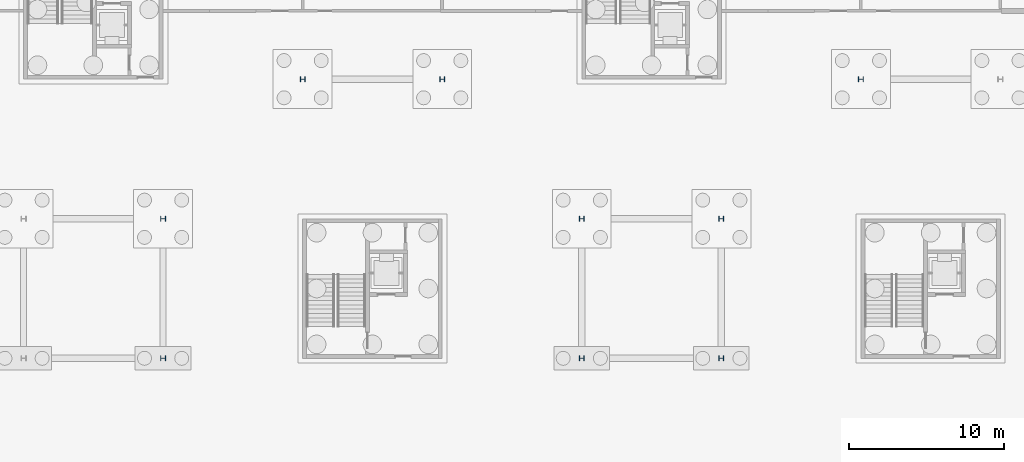
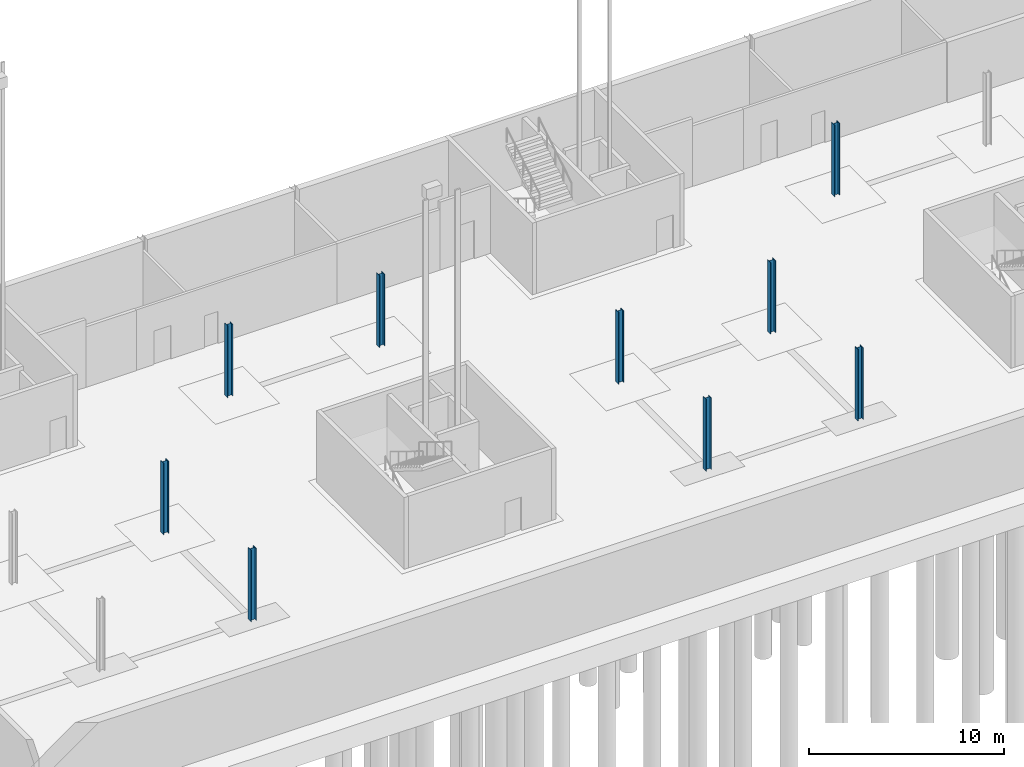
# One storey, part 7 of 41: 9 columns.
"""IFC4 building model written with IfcOpenShell, lengths in metres."""

from ifc_helpers import new_model, si_unit, direction, frame, origin, origin_2d, place, context, subcontext, project, spatial, i_section, extrude, material, material_profile, profile_set, type_object, element, save


model = new_model("IFC4")

# Units and contexts
model_context = context("Model", 3, precision=1e-05, world=origin(), true_north=direction((0.0, 1.0)))
body_context = subcontext(model_context, "Body", "Model", "MODEL_VIEW")
ifc_project = project(units=[si_unit("LENGTHUNIT", "METRE"), si_unit("AREAUNIT", "SQUARE_METRE"), si_unit("VOLUMEUNIT", "CUBIC_METRE"), si_unit("PLANEANGLEUNIT", "RADIAN"), si_unit("MASSUNIT", "GRAM", prefix="KILO")], contexts=[model_context])

# Site, building, storey
site_placement = place(None, origin())
site = spatial("IfcSite", under=ifc_project, at=site_placement, CompositionType="ELEMENT")
building_placement = place(site_placement, origin())
building = spatial("IfcBuilding", under=site, at=building_placement, Name="Corbel Yard City Hall", CompositionType="ELEMENT")
storey_placement = place(building_placement, frame((0.0, 0.0, -4.5)))
storey = spatial("IfcBuildingStorey", under=building, at=storey_placement, Name="B1", CompositionType="ELEMENT", Elevation=-4.5)

# Columns
ifc_material = material(Name="Steel Grade 300 (300 MPa yield)", Category="steel")
ifc_material_profile = material_profile(ifc_material, i_section(OverallWidth=0.31103515625, OverallDepth=0.326904296875, WebThickness=0.015625, FlangeThickness=0.02490234375, at=origin_2d()), Name="310UC158")
ifc_profile_set = profile_set([ifc_material_profile], Name="Steel Grade 300 (300 MPa yield)")
column_type = type_object("IfcColumnType", Name="Column 310UC158", PredefinedType="COLUMN", material=ifc_profile_set)
for number, where, z_axis, x_axis, name in (
    (1, (72.0, 90.0, 0.0), (0.0, 0.0, 1.0), (0.0, 1.0, 0.0), "Column 310UC158 K/9 B1"),
    (2, (72.0, 99.0, 0.0), (0.0, 0.0, 1.0), (0.0, 1.0, 0.0), "Column 310UC158 L/9 B1"),
    (3, (81.0, 108.0, 0.0), (0.0, 0.0, 1.0), (0.0, 1.0, 0.0), "Column 310UC158 M/10 B1"),
    (4, (90.0, 108.0, 0.0), (0.0, 0.0, 1.0), (0.0, 1.0, 0.0), "Column 310UC158 M/11 B1"),
    (5, (99.0, 90.0, 0.0), (0.0, 0.0, 1.0), (0.0, 1.0, 0.0), "Column 310UC158 K/12 B1"),
    (6, (99.0, 99.0, 0.0), (0.0, 0.0, 1.0), (0.0, 1.0, 0.0), "Column 310UC158 L/12 B1"),
    (7, (108.0, 90.0, 0.0), (0.0, 0.0, 1.0), (0.0, 1.0, 0.0), "Column 310UC158 K/13 B1"),
    (8, (108.0, 99.0, 0.0), (0.0, 0.0, 1.0), (0.0, 1.0, 0.0), "Column 310UC158 L/13 B1"),
    (9, (117.0, 108.0, 0.0), (0.0, 0.0, 1.0), (0.0, 1.0, 0.0), "Column 310UC158 M/14 B1"),
):
    element("IfcColumn", number, at=place(storey_placement, frame(where, z_axis=z_axis, x_axis=x_axis)), inside=storey, type_object=column_type, Name=name, PredefinedType="COLUMN", context=body_context, shape_type="SweptSolid", body=[
        extrude(i_section(OverallWidth=0.31103515625, OverallDepth=0.326904296875, WebThickness=0.015625, FlangeThickness=0.02490234375, at=origin_2d()), origin(), (0.0, 0.0, 1.0), 4.5),
    ])

save(model, "model.ifc")
